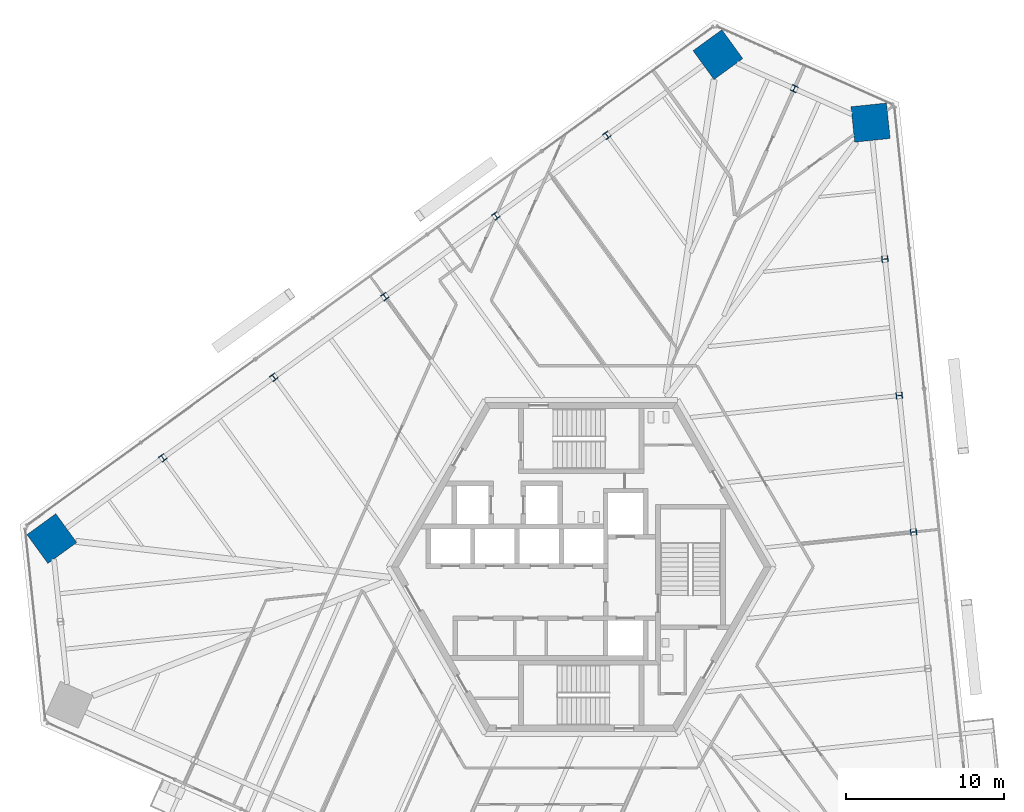
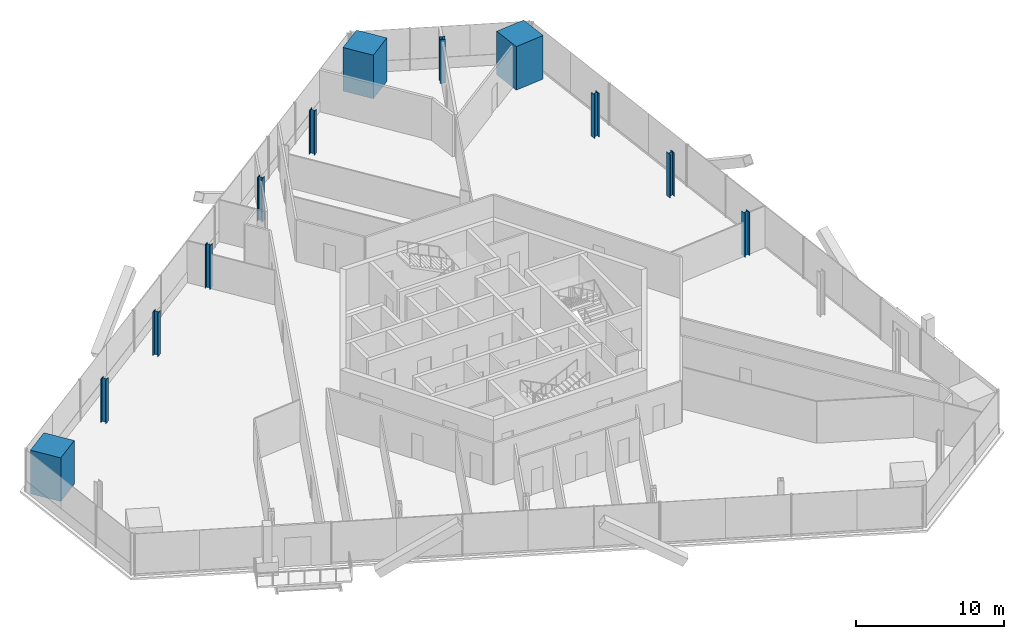
# One storey, part 2 of 19: 12 columns.
"""IFC4 building model written with IfcOpenShell, lengths in metres."""

from ifc_helpers import new_model, si_unit, direction, frame, origin, origin_2d, place, context, subcontext, project, spatial, rectangle, i_section, extrude, source, transform, mapped, material, material_profile, profile_set, type_object, element, save


model = new_model("IFC4")

# Units and contexts
model_context = context("Model", 3, precision=1e-05, world=origin(), true_north=direction((0.0, 1.0)))
body_context = subcontext(model_context, "Body", "Model", "MODEL_VIEW")
ifc_project = project(units=[si_unit("LENGTHUNIT", "METRE"), si_unit("AREAUNIT", "SQUARE_METRE"), si_unit("VOLUMEUNIT", "CUBIC_METRE"), si_unit("PLANEANGLEUNIT", "RADIAN"), si_unit("MASSUNIT", "GRAM", prefix="KILO")], contexts=[model_context])

# Site, building, storey
site_placement = place(None, origin())
site = spatial("IfcSite", under=ifc_project, at=site_placement, CompositionType="ELEMENT")
building_placement = place(site_placement, origin())
building = spatial("IfcBuilding", under=site, at=building_placement, Name="Triune Harvest Tower", CompositionType="ELEMENT")
storey_placement = place(building_placement, frame((0.0, 0.0, 69.300048828125)))
storey = spatial("IfcBuildingStorey", under=building, at=storey_placement, Name="L16", CompositionType="ELEMENT", Elevation=69.300048828125)

# Columns
ifc_material_1 = material(Name="Concrete 70 MPa", Category="concrete")
ifc_material_profile_1 = material_profile(ifc_material_1, rectangle(XDim=2.25, YDim=2.25, at=origin_2d()), Name="Composite 2250x2250")
ifc_profile_set_1 = profile_set([ifc_material_profile_1], Name="Concrete 70 MPa")
column_type_1 = type_object("IfcColumnType", Name="MC-2 Mega column Composite 2250x2250", PredefinedType="COLUMN", material=ifc_profile_set_1)
shared_shape_1 = source(origin(), body_context, "Body", "SweptSolid", [
    extrude(rectangle(XDim=2.25, YDim=2.25, at=origin_2d()), origin(), (0.0, 0.0, 1.0), 3.599853515625),
])
for number, where, z_axis, x_axis, name in (
    (1, (18.2607421875, 28.049072265625, 0.0), (0.0, 0.0, 1.0), (-0.104526727499, 0.994522077803, 0.0), "col/L16/M6"),
    (2, (8.625732421875, 32.3388671875, 0.0), (0.0, 0.0, 1.0), (-0.809016994375, -0.587785252292, 0.0), "col/L16/M8"),
    (3, (-33.42138671875, 1.789794921875, 0.0), (0.0, 0.0, 1.0), (-0.809016994375, -0.587785252292, 0.0), "col/L16/M14"),
):
    element("IfcColumn", number, at=place(storey_placement, frame(where, z_axis=z_axis, x_axis=x_axis)), inside=storey, type_object=column_type_1, Name=name, PredefinedType="COLUMN", context=body_context, shape_type="MappedRepresentation", body=[
        mapped(shared_shape_1, transform((0.0, 0.0, 0.0), scale=1.0)),
    ])
ifc_material_2 = material(Name="Steel ASTM A992 Gr 50", Category="steel")
ifc_material_profile_2 = material_profile(ifc_material_2, i_section(OverallWidth=0.398681640625, OverallDepth=0.393798828125, WebThickness=0.022705078125, FlangeThickness=0.03662109375, at=origin_2d()), Name="W14x193")
ifc_profile_set_2 = profile_set([ifc_material_profile_2], Name="Steel ASTM A992 Gr 50")
column_type_2 = type_object("IfcColumnType", Name="PC-2 Perimeter column W14x193", PredefinedType="COLUMN", material=ifc_profile_set_2)
shared_shape_2 = source(origin(), body_context, "Body", "SweptSolid", [
    extrude(i_section(OverallWidth=0.398681640625, OverallDepth=0.393798828125, WebThickness=0.022705078125, FlangeThickness=0.03662109375, at=origin_2d()), origin(), (0.0, 0.0, 1.0), 3.599853515625),
])
for number, where, z_axis, x_axis, name in (
    (4, (20.97705078125, 2.204833984375, 0.0), (0.0, 0.0, 1.0), (-0.104526727499, 0.994522077803, 0.0), "col/L16/P3"),
    (5, (20.071533203125, 10.819580078125, 0.0), (0.0, 0.0, 1.0), (-0.104526727499, 0.994522077803, 0.0), "col/L16/P4"),
    (6, (19.166015625, 19.434326171875, 0.0), (0.0, 0.0, 1.0), (-0.104526727499, 0.994522077803, 0.0), "col/L16/P5"),
    (7, (13.443115234375, 30.194091796875, 0.0), (0.0, 0.0, 1.0), (-0.913546877416, 0.406733454198, 0.0), "col/L16/P7"),
    (8, (1.617919921875, 27.247314453125, 0.0), (0.0, 0.0, 1.0), (-0.809016994375, -0.587785252292, 0.0), "col/L16/P9"),
    (9, (-5.389892578125, 22.15576171875, 0.0), (0.0, 0.0, 1.0), (-0.809016994375, -0.587785252292, 0.0), "col/L16/P10"),
    (10, (-12.39794921875, 17.064208984375, 0.0), (0.0, 0.0, 1.0), (-0.809016994375, -0.587785252292, 0.0), "col/L16/P11"),
    (11, (-19.40576171875, 11.97265625, 0.0), (0.0, 0.0, 1.0), (-0.809016994375, -0.587785252292, 0.0), "col/L16/P12"),
    (12, (-26.41357421875, 6.881103515625, 0.0), (0.0, 0.0, 1.0), (-0.809016994375, -0.587785252292, 0.0), "col/L16/P13"),
):
    element("IfcColumn", number, at=place(storey_placement, frame(where, z_axis=z_axis, x_axis=x_axis)), inside=storey, type_object=column_type_2, Name=name, PredefinedType="COLUMN", context=body_context, shape_type="MappedRepresentation", body=[
        mapped(shared_shape_2, transform((0.0, 0.0, 0.0), scale=1.0)),
    ])

save(model, "model.ifc")
